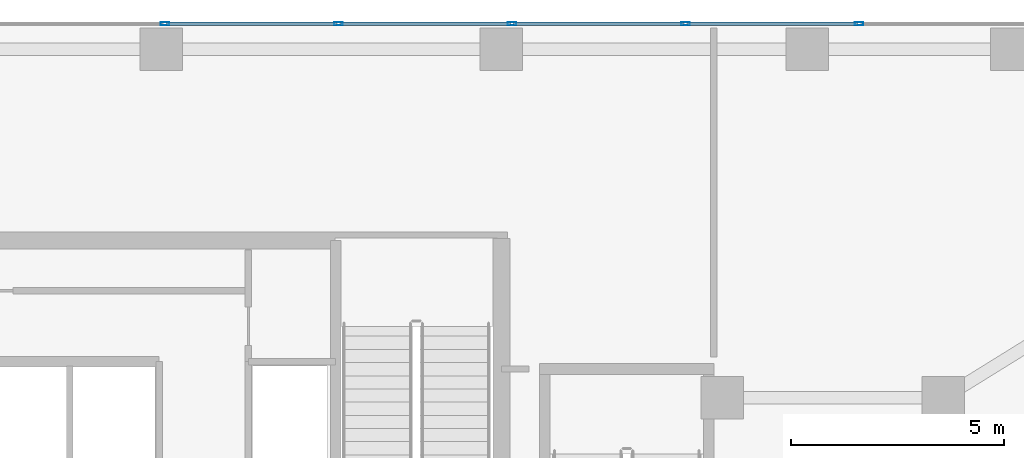
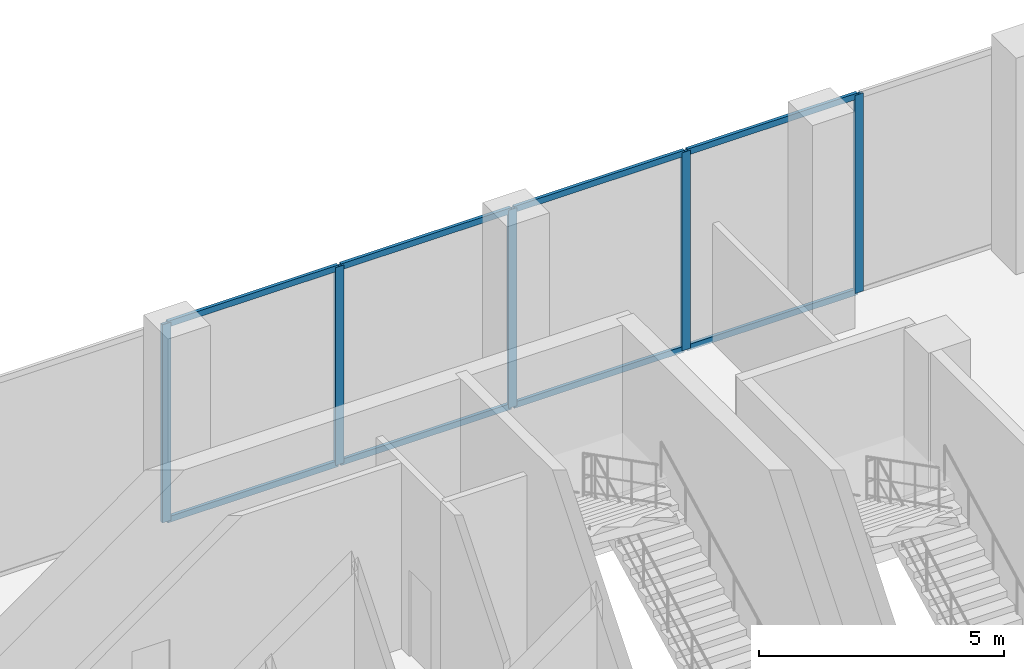
# One storey, part 18 of 24: 13 members, 1 element without a shape of its own.
"""IFC4 building model written with IfcOpenShell, lengths in metres."""

from ifc_helpers import new_model, si_unit, direction, frame, origin, origin_2d, place, context, subcontext, project, spatial, hollow_rectangle, extrude, material, layer, layer_set, material_profile, profile_set, type_object, element, aggregate, save


model = new_model("IFC4")

# Units and contexts
model_context = context("Model", 3, precision=1e-05, world=origin(), true_north=direction((0.0, 1.0)))
body_context = subcontext(model_context, "Body", "Model", "MODEL_VIEW")
ifc_project = project(units=[si_unit("LENGTHUNIT", "METRE"), si_unit("AREAUNIT", "SQUARE_METRE"), si_unit("VOLUMEUNIT", "CUBIC_METRE"), si_unit("PLANEANGLEUNIT", "RADIAN"), si_unit("MASSUNIT", "GRAM", prefix="KILO")], contexts=[model_context])

# Site, building, storey
site_placement = place(None, origin())
site = spatial("IfcSite", under=ifc_project, at=site_placement, CompositionType="ELEMENT")
building_placement = place(site_placement, origin())
building = spatial("IfcBuilding", under=site, at=building_placement, Name="Catumbela Crestline Tower", CompositionType="ELEMENT")
storey_placement = place(building_placement, frame((0.0, 0.0, 15.9)))
storey = spatial("IfcBuildingStorey", under=building, at=storey_placement, Name="L03", CompositionType="ELEMENT", Elevation=15.9)

# Curtain wall, members
ifc_material = material(Name="Aluminium alloy AW-6060-T66", Category="aluminium")
ifc_layer = layer(ifc_material, 0.18, Name="Aluminium alloy AW-6060-T66")
ifc_layer_set = layer_set([ifc_layer], Name="Aluminium alloy AW-6060-T66")
curtain_wall_type = type_object("IfcCurtainWallType", Name="CWS-POD", PredefinedType="USERDEFINED", material=ifc_layer_set)
curtain_wall_placement = place(storey_placement, origin())
curtain_wall = element("IfcCurtainWall", 1, at=curtain_wall_placement, inside=storey, type_object=curtain_wall_type, Name="L03 Stick Curtain Wall CW-L03-E7S1", ObjectType="STICK", PredefinedType="USERDEFINED")
ifc_material_profile_1 = material_profile(ifc_material, hollow_rectangle(XDim=0.075, YDim=0.2, WallThickness=0.005, at=origin_2d()), Name="ALU 200x75x5")
ifc_profile_set_1 = profile_set([ifc_material_profile_1], Name="Aluminium alloy AW-6060-T66")
member_type_1 = type_object("IfcMemberType", Name="MUL-200X75", PredefinedType="MULLION", material=ifc_profile_set_1)
member_1_placement = place(storey_placement, frame((48.4167, 48.0, 0.0), z_axis=(0.0, 0.0, 1.0), x_axis=(0.0, -1.0, 0.0)))
member_1 = element("IfcMember", 2, at=member_1_placement, type_object=member_type_1, Name="CWS-POD mullion 2", PredefinedType="MULLION", context=body_context, shape_type="SweptSolid", body=[
    extrude(hollow_rectangle(XDim=0.075, YDim=0.2, WallThickness=0.005, at=origin_2d()), origin(), (0.0, 0.0, 1.0), 4.94),
])
member_2_placement = place(storey_placement, frame((44.3333, 48.0, 0.0), z_axis=(0.0, 0.0, 1.0), x_axis=(0.0, -1.0, 0.0)))
member_2 = element("IfcMember", 3, at=member_2_placement, type_object=member_type_1, Name="CWS-POD mullion 3", PredefinedType="MULLION", context=body_context, shape_type="SweptSolid", body=[
    extrude(hollow_rectangle(XDim=0.075, YDim=0.2, WallThickness=0.005, at=origin_2d()), origin(), (0.0, 0.0, 1.0), 4.94),
])
member_3_placement = place(storey_placement, frame((40.25, 48.0, 0.0), z_axis=(0.0, 0.0, 1.0), x_axis=(0.0, -1.0, 0.0)))
member_3 = element("IfcMember", 4, at=member_3_placement, type_object=member_type_1, Name="CWS-POD mullion 4", PredefinedType="MULLION", context=body_context, shape_type="SweptSolid", body=[
    extrude(hollow_rectangle(XDim=0.075, YDim=0.2, WallThickness=0.005, at=origin_2d()), origin(), (0.0, 0.0, 1.0), 4.94),
])
member_4_placement = place(storey_placement, frame((36.1667, 48.0, 0.0), z_axis=(0.0, 0.0, 1.0), x_axis=(0.0, -1.0, 0.0)))
member_4 = element("IfcMember", 5, at=member_4_placement, type_object=member_type_1, Name="CWS-POD mullion 5", PredefinedType="MULLION", context=body_context, shape_type="SweptSolid", body=[
    extrude(hollow_rectangle(XDim=0.075, YDim=0.2, WallThickness=0.005, at=origin_2d()), origin(), (0.0, 0.0, 1.0), 4.94),
])
member_5_placement = place(storey_placement, frame((32.0833, 48.0, 0.0), z_axis=(0.0, 0.0, 1.0), x_axis=(0.0, -1.0, 0.0)))
member_5 = element("IfcMember", 6, at=member_5_placement, type_object=member_type_1, Name="CWS-POD mullion 6", PredefinedType="MULLION", context=body_context, shape_type="SweptSolid", body=[
    extrude(hollow_rectangle(XDim=0.075, YDim=0.2, WallThickness=0.005, at=origin_2d()), origin(), (0.0, 0.0, 1.0), 4.94),
])
ifc_material_profile_2 = material_profile(ifc_material, hollow_rectangle(XDim=0.075, YDim=0.15, WallThickness=0.0045, at=origin_2d()), Name="ALU 150x75x4.5")
ifc_profile_set_2 = profile_set([ifc_material_profile_2], Name="Aluminium alloy AW-6060-T66")
member_type_2 = type_object("IfcMemberType", Name="TRN-150X75", PredefinedType="USERDEFINED", material=ifc_profile_set_2)
member_6_placement = place(storey_placement, frame((48.3842, 48.0, 0.03), z_axis=(-1.0, 0.0, 0.0), x_axis=(0.0, -1.0, 0.0)))
member_6 = element("IfcMember", 7, at=member_6_placement, type_object=member_type_2, Name="CWS-POD transom 2.1", ObjectType="TRANSOM", PredefinedType="USERDEFINED", context=body_context, shape_type="SweptSolid", body=[
    extrude(hollow_rectangle(XDim=0.075, YDim=0.15, WallThickness=0.0045, at=origin_2d()), origin(), (0.0, 0.0, 1.0), 4.0184),
])
member_7_placement = place(storey_placement, frame((48.3842, 48.0, 4.91), z_axis=(-1.0, 0.0, 0.0), x_axis=(0.0, -1.0, 0.0)))
member_7 = element("IfcMember", 8, at=member_7_placement, type_object=member_type_2, Name="CWS-POD transom 2.2", ObjectType="TRANSOM", PredefinedType="USERDEFINED", context=body_context, shape_type="SweptSolid", body=[
    extrude(hollow_rectangle(XDim=0.075, YDim=0.15, WallThickness=0.0045, at=origin_2d()), origin(), (0.0, 0.0, 1.0), 4.0184),
])
member_8_placement = place(storey_placement, frame((44.3008, 48.0, 0.03), z_axis=(-1.0, 0.0, 0.0), x_axis=(0.0, -1.0, 0.0)))
member_8 = element("IfcMember", 9, at=member_8_placement, type_object=member_type_2, Name="CWS-POD transom 3.1", ObjectType="TRANSOM", PredefinedType="USERDEFINED", context=body_context, shape_type="SweptSolid", body=[
    extrude(hollow_rectangle(XDim=0.075, YDim=0.15, WallThickness=0.0045, at=origin_2d()), origin(), (0.0, 0.0, 1.0), 4.0183),
])
member_9_placement = place(storey_placement, frame((44.3008, 48.0, 4.91), z_axis=(-1.0, 0.0, 0.0), x_axis=(0.0, -1.0, 0.0)))
member_9 = element("IfcMember", 10, at=member_9_placement, type_object=member_type_2, Name="CWS-POD transom 3.2", ObjectType="TRANSOM", PredefinedType="USERDEFINED", context=body_context, shape_type="SweptSolid", body=[
    extrude(hollow_rectangle(XDim=0.075, YDim=0.15, WallThickness=0.0045, at=origin_2d()), origin(), (0.0, 0.0, 1.0), 4.0183),
])
member_10_placement = place(storey_placement, frame((40.2175, 48.0, 0.03), z_axis=(-1.0, 0.0, 0.0), x_axis=(0.0, -1.0, 0.0)))
member_10 = element("IfcMember", 11, at=member_10_placement, type_object=member_type_2, Name="CWS-POD transom 4.1", ObjectType="TRANSOM", PredefinedType="USERDEFINED", context=body_context, shape_type="SweptSolid", body=[
    extrude(hollow_rectangle(XDim=0.075, YDim=0.15, WallThickness=0.0045, at=origin_2d()), origin(), (0.0, 0.0, 1.0), 4.0183),
])
member_11_placement = place(storey_placement, frame((40.2175, 48.0, 4.91), z_axis=(-1.0, 0.0, 0.0), x_axis=(0.0, -1.0, 0.0)))
member_11 = element("IfcMember", 12, at=member_11_placement, type_object=member_type_2, Name="CWS-POD transom 4.2", ObjectType="TRANSOM", PredefinedType="USERDEFINED", context=body_context, shape_type="SweptSolid", body=[
    extrude(hollow_rectangle(XDim=0.075, YDim=0.15, WallThickness=0.0045, at=origin_2d()), origin(), (0.0, 0.0, 1.0), 4.0183),
])
member_12_placement = place(storey_placement, frame((36.1342, 48.0, 0.03), z_axis=(-1.0, 0.0, 0.0), x_axis=(0.0, -1.0, 0.0)))
member_12 = element("IfcMember", 13, at=member_12_placement, type_object=member_type_2, Name="CWS-POD transom 5.1", ObjectType="TRANSOM", PredefinedType="USERDEFINED", context=body_context, shape_type="SweptSolid", body=[
    extrude(hollow_rectangle(XDim=0.075, YDim=0.15, WallThickness=0.0045, at=origin_2d()), origin(), (0.0, 0.0, 1.0), 4.0184),
])
member_13_placement = place(storey_placement, frame((36.1342, 48.0, 4.91), z_axis=(-1.0, 0.0, 0.0), x_axis=(0.0, -1.0, 0.0)))
member_13 = element("IfcMember", 14, at=member_13_placement, type_object=member_type_2, Name="CWS-POD transom 5.2", ObjectType="TRANSOM", PredefinedType="USERDEFINED", context=body_context, shape_type="SweptSolid", body=[
    extrude(hollow_rectangle(XDim=0.075, YDim=0.15, WallThickness=0.0045, at=origin_2d()), origin(), (0.0, 0.0, 1.0), 4.0184),
])
aggregate(curtain_wall, [member_1, member_2, member_3, member_4, member_5, member_6, member_7, member_8, member_9, member_10, member_11, member_12, member_13])

save(model, "model.ifc")
